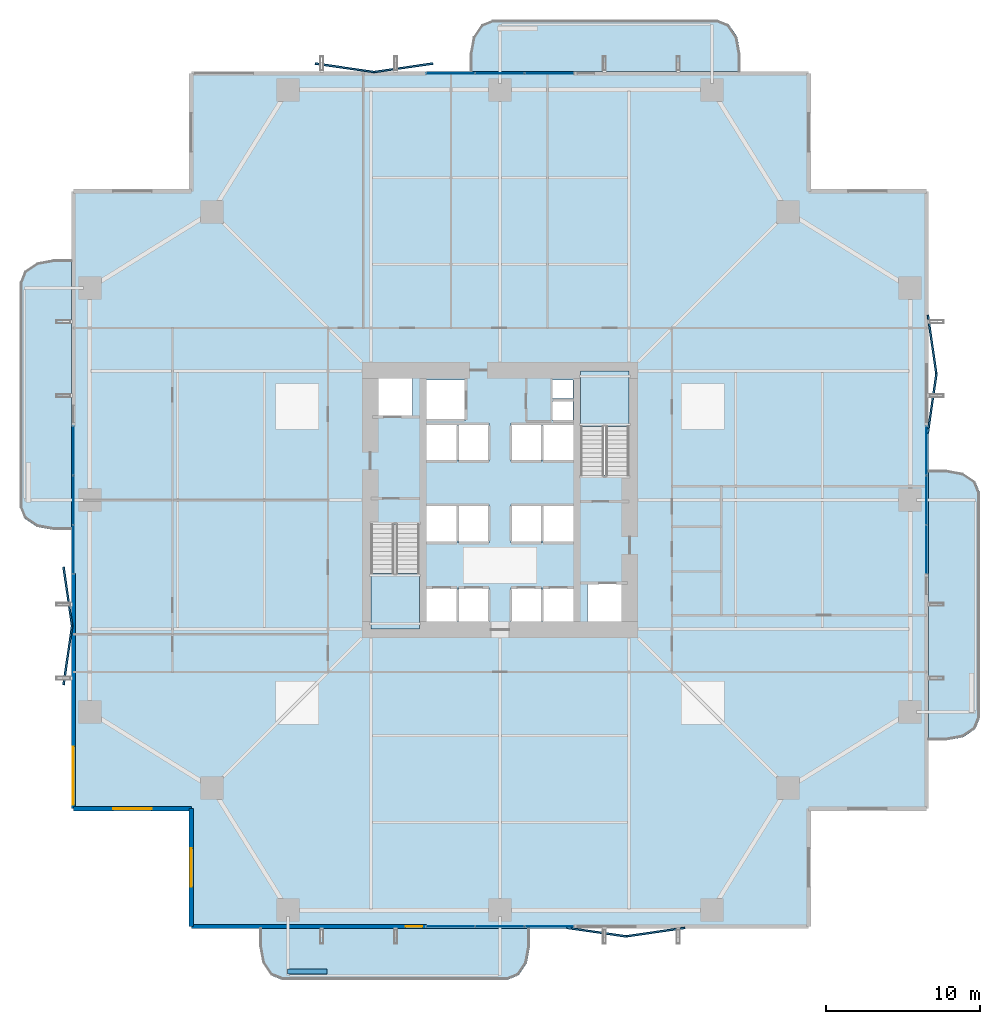
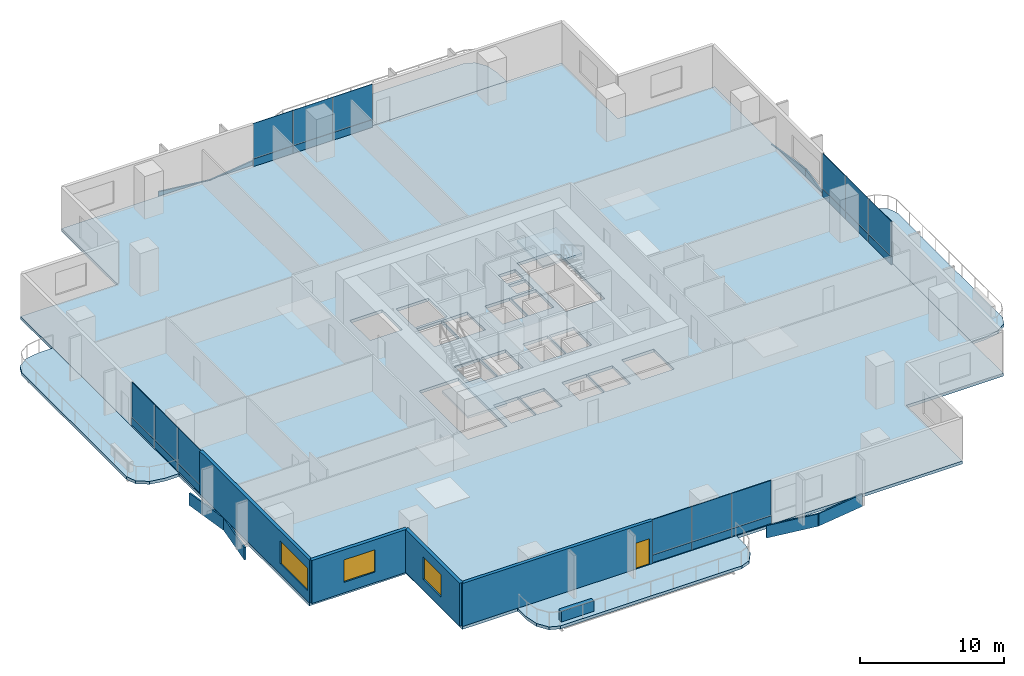
# One storey, part 16 of 23: 32 plates, 7 slabs, 5 walls, 3 windows, 1 door, 4 openings, 6 elements without a shape of their own.
"""IFC4 building model written with IfcOpenShell, lengths in metres."""

from ifc_helpers import new_model, si_unit, direction, frame, frame_2d, origin, origin_2d, place, context, subcontext, project, spatial, polyline, rectangle, outline, extrude, material, layer, layer_set, type_object, element, fill, aggregate, save


model = new_model("IFC4")

# Units and contexts
model_context = context("Model", 3, precision=1e-05, world=origin(), true_north=direction((0.0, 1.0)))
body_context = subcontext(model_context, "Body", "Model", "MODEL_VIEW")
ifc_project = project(units=[si_unit("LENGTHUNIT", "METRE"), si_unit("AREAUNIT", "SQUARE_METRE"), si_unit("VOLUMEUNIT", "CUBIC_METRE"), si_unit("PLANEANGLEUNIT", "RADIAN"), si_unit("MASSUNIT", "GRAM", prefix="KILO")], contexts=[model_context])

# Site, building, storey
site_placement = place(None, origin())
site = spatial("IfcSite", under=ifc_project, at=site_placement, CompositionType="ELEMENT")
building_placement = place(site_placement, origin())
building = spatial("IfcBuilding", under=site, at=building_placement, Name="Belovzor Exchange Tower", CompositionType="ELEMENT")
storey_placement = place(building_placement, frame((0.0, 0.0, 100.199951171875)))
storey = spatial("IfcBuildingStorey", under=building, at=storey_placement, Name="L24", CompositionType="ELEMENT", Elevation=100.199951171875)

# Slab
ifc_material_1 = material(Name="Concrete C40/50", Category="concrete")
ifc_layer_1 = layer(ifc_material_1, 0.25)
ifc_layer_set_1 = layer_set([ifc_layer_1], Name="Concrete C40/50")
slab_type_1 = type_object("IfcSlabType", Name="Composite Concrete Floor Deck Slab 250", PredefinedType="FLOOR", material=ifc_layer_set_1)
slab_1_placement = place(storey_placement, frame((0.0, 0.0, -0.25)))
element("IfcSlab", 1, at=slab_1_placement, inside=storey, type_object=slab_type_1, Name="SL-F250 Structural Slab L24", PredefinedType="FLOOR", context=body_context, shape_type="SweptSolid", body=[
    extrude(outline(polyline([(8.699951171875, 0.89990234375), (48.89990234375, 0.89990234375), (48.89990234375, 8.699951171875), (56.699951171875, 8.699951171875), (56.699951171875, 48.89990234375), (48.89990234375, 48.89990234375), (48.89990234375, 56.699951171875), (8.699951171875, 56.699951171875), (8.699951171875, 48.89990234375), (0.89990234375, 48.89990234375), (0.89990234375, 8.699951171875), (8.699951171875, 8.699951171875), (8.699951171875, 0.89990234375)]), holes=[polyline([(20.39990234375, 27.175048828125), (20.39990234375, 20.39990234375), (23.550048828125, 20.39990234375), (23.550048828125, 27.175048828125), (20.39990234375, 27.175048828125)]), polyline([(37.199951171875, 30.425048828125), (37.199951171875, 37.199951171875), (34.050048828125, 37.199951171875), (34.050048828125, 30.425048828125), (37.199951171875, 30.425048828125)]), polyline([(20.5, 34.199951171875), (23.10009765625, 34.199951171875), (23.10009765625, 37.0), (20.5, 37.0), (20.5, 34.199951171875)]), polyline([(34.5, 20.60009765625), (37.10009765625, 20.60009765625), (37.10009765625, 23.39990234375), (34.5, 23.39990234375), (34.5, 20.60009765625)]), polyline([(24.0, 34.0), (26.60009765625, 34.0), (26.60009765625, 36.60009765625), (24.0, 36.60009765625), (24.0, 34.0)]), polyline([(24.0, 20.60009765625), (26.0, 20.60009765625), (26.0, 23.10009765625), (24.0, 23.10009765625), (24.0, 20.60009765625)]), polyline([(26.10009765625, 20.60009765625), (28.10009765625, 20.60009765625), (28.10009765625, 23.10009765625), (26.10009765625, 23.10009765625), (26.10009765625, 20.60009765625)]), polyline([(29.5, 20.60009765625), (31.5, 20.60009765625), (31.5, 23.10009765625), (29.5, 23.10009765625), (29.5, 20.60009765625)]), polyline([(31.60009765625, 20.60009765625), (33.60009765625, 20.60009765625), (33.60009765625, 23.10009765625), (31.60009765625, 23.10009765625), (31.60009765625, 20.60009765625)]), polyline([(24.0, 26.0), (26.0, 26.0), (26.0, 28.5), (24.0, 28.5), (24.0, 26.0)]), polyline([(26.10009765625, 26.0), (28.10009765625, 26.0), (28.10009765625, 28.5), (26.10009765625, 28.5), (26.10009765625, 26.0)]), polyline([(29.5, 26.0), (31.5, 26.0), (31.5, 28.5), (29.5, 28.5), (29.5, 26.0)]), polyline([(31.60009765625, 26.0), (33.60009765625, 26.0), (33.60009765625, 28.5), (31.60009765625, 28.5), (31.60009765625, 26.0)]), polyline([(24.0, 31.300048828125), (26.0, 31.300048828125), (26.0, 33.800048828125), (24.0, 33.800048828125), (24.0, 31.300048828125)]), polyline([(26.10009765625, 31.300048828125), (28.10009765625, 31.300048828125), (28.10009765625, 33.800048828125), (26.10009765625, 33.800048828125), (26.10009765625, 31.300048828125)]), polyline([(29.5, 31.300048828125), (31.5, 31.300048828125), (31.5, 33.800048828125), (29.5, 33.800048828125), (29.5, 31.300048828125)]), polyline([(31.60009765625, 31.300048828125), (33.60009765625, 31.300048828125), (33.60009765625, 33.800048828125), (31.60009765625, 33.800048828125), (31.60009765625, 31.300048828125)]), polyline([(32.199951171875, 34.0), (33.550048828125, 34.0), (33.550048828125, 35.199951171875), (32.199951171875, 35.199951171875), (32.199951171875, 34.0)]), polyline([(32.199951171875, 35.39990234375), (33.550048828125, 35.39990234375), (33.550048828125, 36.60009765625), (32.199951171875, 36.60009765625), (32.199951171875, 35.39990234375)])]), origin(), (0.0, 0.0, 1.0), 0.25),
])

# Plates
ifc_material_2 = material(Name="Extruded Architectural Terracotta", Category="masonry")
ifc_layer_2 = layer(ifc_material_2, 0.1201171875)
ifc_layer_set_2 = layer_set([ifc_layer_2], Name="Extruded Architectural Terracotta")
plate_type_1 = type_object("IfcPlateType", Name="Folded Zigzag Terracotta Spandrel Louvre 80", PredefinedType="USERDEFINED", material=ifc_layer_set_2)
for number, where, z_axis, x_axis, name in (
    (2, (18.699951171875, 56.93505859375, -1.03515625), (0.0, 0.0, 1.0), (0.989686419138, -0.143250800258, 0.0), "LVR-ZZ1 Zigzag Terracotta Spandrel Louvre L24 N1A"),
    (3, (22.5, 56.93505859375, -1.03515625), (0.0, 0.0, 1.0), (0.989686419138, 0.143250800258, 0.0), "LVR-ZZ1 Zigzag Terracotta Spandrel Louvre L24 N1B"),
    (4, (0.6650390625, 18.699951171875, -1.03515625), (0.0, 0.0, 1.0), (0.143250800258, 0.989686419138, 0.0), "LVR-ZZ1 Zigzag Terracotta Spandrel Louvre L24 W1A"),
    (5, (0.6650390625, 22.5, -1.03515625), (0.0, 0.0, 1.0), (-0.143250800258, 0.989686419138, 0.0), "LVR-ZZ1 Zigzag Terracotta Spandrel Louvre L24 W1B"),
    (6, (35.10009765625, 0.6650390625, -1.03515625), (0.0, 0.0, 1.0), (0.989686419138, -0.143250800258, 0.0), "LVR-ZZ1 Zigzag Terracotta Spandrel Louvre L24 S2A"),
    (7, (38.89990234375, 0.6650390625, -1.03515625), (0.0, 0.0, 1.0), (0.989686419138, 0.143250800258, 0.0), "LVR-ZZ1 Zigzag Terracotta Spandrel Louvre L24 S2B"),
    (8, (56.93505859375, 35.10009765625, -1.03515625), (0.0, 0.0, 1.0), (0.143250800258, 0.989686419138, 0.0), "LVR-ZZ1 Zigzag Terracotta Spandrel Louvre L24 E2A"),
    (9, (56.93505859375, 38.89990234375, -1.03515625), (0.0, 0.0, 1.0), (-0.143250800258, 0.989686419138, 0.0), "LVR-ZZ1 Zigzag Terracotta Spandrel Louvre L24 E2B"),
):
    element("IfcPlate", number, at=place(storey_placement, frame(where, z_axis=z_axis, x_axis=x_axis)), inside=storey, type_object=plate_type_1, Name=name, ObjectType="SPANDREL_LOUVRE", PredefinedType="USERDEFINED", context=body_context, shape_type="SweptSolid", body=[
        extrude(rectangle(XDim=3.919921875, YDim=0.1201171875, at=origin_2d()), origin(), (0.0, 0.0, 1.0), 1.050048828125),
    ])

# Curtain wall, plates
ifc_material_3 = material(Name="Anodised Aluminium Framing", Category="aluminium")
ifc_layer_3 = layer(ifc_material_3, 0.179931640625)
ifc_layer_set_3 = layer_set([ifc_layer_3], Name="Anodised Aluminium Framing")
curtain_wall_type = type_object("IfcCurtainWallType", Name="Recessed Loggia Low-Iron Triple-Glazed Curtain Wall", PredefinedType="NOTDEFINED", material=ifc_layer_set_3)
curtain_wall_1_placement = place(storey_placement, origin())
curtain_wall_1 = element("IfcCurtainWall", 10, at=curtain_wall_1_placement, inside=storey, type_object=curtain_wall_type, Name="CW3 Recessed Loggia Low-Iron Triple-Glazed Curtain Wall L24", PredefinedType="NOTDEFINED")
ifc_material_4 = material(Name="Solar-Control Triple Glazing", Category="glass")
ifc_layer_4 = layer(ifc_material_4, 0.0439453125)
ifc_layer_set_4 = layer_set([ifc_layer_4], Name="Solar-Control Triple Glazing")
plate_type_2 = type_object("IfcPlateType", Name="Insulated Solar Glazing Curtain Panel 44", PredefinedType="CURTAIN_PANEL", material=ifc_layer_set_4)
plate_1_placement = place(storey_placement, frame((32.0, 1.030029296875, 0.652099609375), z_axis=(0.0, 0.0, 1.0), x_axis=(-1.0, 0.0, 0.0)))
plate_1 = element("IfcPlate", 11, at=plate_1_placement, type_object=plate_type_2, Name="GLZ-44 Glazed Curtain Panel 1", PredefinedType="CURTAIN_PANEL", context=body_context, shape_type="SweptSolid", body=[
    extrude(rectangle(XDim=3.18408203125, YDim=0.0439453125, at=origin_2d()), origin(), (0.0, 0.0, 1.0), 2.998046875),
])
plate_2_placement = place(storey_placement, frame((28.800048828125, 1.030029296875, 0.652099609375), z_axis=(0.0, 0.0, 1.0), x_axis=(-1.0, 0.0, 0.0)))
plate_2 = element("IfcPlate", 12, at=plate_2_placement, type_object=plate_type_2, Name="GLZ-44 Glazed Curtain Panel 2", PredefinedType="CURTAIN_PANEL", context=body_context, shape_type="SweptSolid", body=[
    extrude(rectangle(XDim=3.18408203125, YDim=0.0439453125, at=origin_2d()), origin(), (0.0, 0.0, 1.0), 2.998046875),
])
plate_3_placement = place(storey_placement, frame((25.60009765625, 1.030029296875, 0.652099609375), z_axis=(0.0, 0.0, 1.0), x_axis=(-1.0, 0.0, 0.0)))
plate_3 = element("IfcPlate", 13, at=plate_3_placement, type_object=plate_type_2, Name="GLZ-44 Glazed Curtain Panel 3", PredefinedType="CURTAIN_PANEL", context=body_context, shape_type="SweptSolid", body=[
    extrude(rectangle(XDim=3.18408203125, YDim=0.0439453125, at=origin_2d()), origin(), (0.0, 0.0, 1.0), 2.998046875),
])

curtain_wall_2_placement = place(storey_placement, origin())
curtain_wall_2 = element("IfcCurtainWall", 14, at=curtain_wall_2_placement, inside=storey, type_object=curtain_wall_type, Name="CW3 Recessed Loggia Low-Iron Triple-Glazed Curtain Wall L24", PredefinedType="NOTDEFINED")
plate_4_placement = place(storey_placement, frame((25.60009765625, 56.570068359375, 0.652099609375), z_axis=(0.0, 0.0, 1.0), x_axis=(1.0, 0.0, 0.0)))
plate_4 = element("IfcPlate", 15, at=plate_4_placement, type_object=plate_type_2, Name="GLZ-44 Glazed Curtain Panel 1", PredefinedType="CURTAIN_PANEL", context=body_context, shape_type="SweptSolid", body=[
    extrude(rectangle(XDim=3.18408203125, YDim=0.0439453125, at=origin_2d()), origin(), (0.0, 0.0, 1.0), 2.998046875),
])
plate_5_placement = place(storey_placement, frame((28.800048828125, 56.570068359375, 0.652099609375), z_axis=(0.0, 0.0, 1.0), x_axis=(1.0, 0.0, 0.0)))
plate_5 = element("IfcPlate", 16, at=plate_5_placement, type_object=plate_type_2, Name="GLZ-44 Glazed Curtain Panel 2", PredefinedType="CURTAIN_PANEL", context=body_context, shape_type="SweptSolid", body=[
    extrude(rectangle(XDim=3.18408203125, YDim=0.0439453125, at=origin_2d()), origin(), (0.0, 0.0, 1.0), 2.998046875),
])
plate_6_placement = place(storey_placement, frame((32.0, 56.570068359375, 0.652099609375), z_axis=(0.0, 0.0, 1.0), x_axis=(1.0, 0.0, 0.0)))
plate_6 = element("IfcPlate", 17, at=plate_6_placement, type_object=plate_type_2, Name="GLZ-44 Glazed Curtain Panel 3", PredefinedType="CURTAIN_PANEL", context=body_context, shape_type="SweptSolid", body=[
    extrude(rectangle(XDim=3.18408203125, YDim=0.0439453125, at=origin_2d()), origin(), (0.0, 0.0, 1.0), 2.998046875),
])

curtain_wall_3_placement = place(storey_placement, origin())
curtain_wall_3 = element("IfcCurtainWall", 18, at=curtain_wall_3_placement, inside=storey, type_object=curtain_wall_type, Name="CW3 Recessed Loggia Low-Iron Triple-Glazed Curtain Wall L24", PredefinedType="NOTDEFINED")
plate_7_placement = place(storey_placement, frame((1.030029296875, 25.60009765625, 0.652099609375), z_axis=(0.0, 0.0, 1.0), x_axis=(0.0, 1.0, 0.0)))
plate_7 = element("IfcPlate", 19, at=plate_7_placement, type_object=plate_type_2, Name="GLZ-44 Glazed Curtain Panel 1", PredefinedType="CURTAIN_PANEL", context=body_context, shape_type="SweptSolid", body=[
    extrude(rectangle(XDim=3.18408203125, YDim=0.0439453125, at=origin_2d()), origin(), (0.0, 0.0, 1.0), 2.998046875),
])
plate_8_placement = place(storey_placement, frame((1.030029296875, 28.800048828125, 0.652099609375), z_axis=(0.0, 0.0, 1.0), x_axis=(0.0, 1.0, 0.0)))
plate_8 = element("IfcPlate", 20, at=plate_8_placement, type_object=plate_type_2, Name="GLZ-44 Glazed Curtain Panel 2", PredefinedType="CURTAIN_PANEL", context=body_context, shape_type="SweptSolid", body=[
    extrude(rectangle(XDim=3.18408203125, YDim=0.0439453125, at=origin_2d()), origin(), (0.0, 0.0, 1.0), 2.998046875),
])
plate_9_placement = place(storey_placement, frame((1.030029296875, 32.0, 0.652099609375), z_axis=(0.0, 0.0, 1.0), x_axis=(0.0, 1.0, 0.0)))
plate_9 = element("IfcPlate", 21, at=plate_9_placement, type_object=plate_type_2, Name="GLZ-44 Glazed Curtain Panel 3", PredefinedType="CURTAIN_PANEL", context=body_context, shape_type="SweptSolid", body=[
    extrude(rectangle(XDim=3.18408203125, YDim=0.0439453125, at=origin_2d()), origin(), (0.0, 0.0, 1.0), 2.998046875),
])

curtain_wall_4_placement = place(storey_placement, origin())
curtain_wall_4 = element("IfcCurtainWall", 22, at=curtain_wall_4_placement, inside=storey, type_object=curtain_wall_type, Name="CW3 Recessed Loggia Low-Iron Triple-Glazed Curtain Wall L24", PredefinedType="NOTDEFINED")
plate_10_placement = place(storey_placement, frame((56.570068359375, 32.0, 0.652099609375), z_axis=(0.0, 0.0, 1.0), x_axis=(0.0, -1.0, 0.0)))
plate_10 = element("IfcPlate", 23, at=plate_10_placement, type_object=plate_type_2, Name="GLZ-44 Glazed Curtain Panel 1", PredefinedType="CURTAIN_PANEL", context=body_context, shape_type="SweptSolid", body=[
    extrude(rectangle(XDim=3.18408203125, YDim=0.0439453125, at=origin_2d()), origin(), (0.0, 0.0, 1.0), 2.998046875),
])
plate_11_placement = place(storey_placement, frame((56.570068359375, 28.800048828125, 0.652099609375), z_axis=(0.0, 0.0, 1.0), x_axis=(0.0, -1.0, 0.0)))
plate_11 = element("IfcPlate", 24, at=plate_11_placement, type_object=plate_type_2, Name="GLZ-44 Glazed Curtain Panel 2", PredefinedType="CURTAIN_PANEL", context=body_context, shape_type="SweptSolid", body=[
    extrude(rectangle(XDim=3.18408203125, YDim=0.0439453125, at=origin_2d()), origin(), (0.0, 0.0, 1.0), 2.998046875),
])
plate_12_placement = place(storey_placement, frame((56.570068359375, 25.60009765625, 0.652099609375), z_axis=(0.0, 0.0, 1.0), x_axis=(0.0, -1.0, 0.0)))
plate_12 = element("IfcPlate", 25, at=plate_12_placement, type_object=plate_type_2, Name="GLZ-44 Glazed Curtain Panel 3", PredefinedType="CURTAIN_PANEL", context=body_context, shape_type="SweptSolid", body=[
    extrude(rectangle(XDim=3.18408203125, YDim=0.0439453125, at=origin_2d()), origin(), (0.0, 0.0, 1.0), 2.998046875),
])

# Stair, slab
ifc_material_5 = material(Name="Concrete C40/50", Category="concrete")
stair_type = type_object("IfcStairType", Name="Reinforced Concrete Dogleg Escape Stair 1350", PredefinedType="HALF_TURN_STAIR", material=ifc_material_5)
stair_1_placement = place(storey_placement, origin())
stair_1 = element("IfcStair", 26, at=stair_1_placement, inside=storey, type_object=stair_type, Name="L24 ST-1", PredefinedType="HALF_TURN_STAIR")
ifc_material_6 = material(Name="Concrete C40/50", Category="concrete")
ifc_layer_5 = layer(ifc_material_6, 0.199951171875)
ifc_layer_set_5 = layer_set([ifc_layer_5], Name="Concrete C40/50")
slab_type_2 = type_object("IfcSlabType", Name="Reinforced Concrete Stair Half-Landing Slab 200", PredefinedType="LANDING", material=ifc_layer_set_5)
slab_2_placement = place(storey_placement, frame((0.0, 0.0, 1.75)))
slab_2 = element("IfcSlab", 27, at=slab_2_placement, type_object=slab_type_2, Name="ST-1 landing 1", PredefinedType="LANDING", context=body_context, shape_type="SweptSolid", body=[
    extrude(outline(polyline([(20.39990234375, 24.010009765625), (20.39990234375, 20.39990234375), (23.550048828125, 20.39990234375), (23.550048828125, 24.010009765625), (20.39990234375, 24.010009765625)])), origin(), (0.0, 0.0, 1.0), 0.199951171875),
])
aggregate(stair_1, [slab_2])

stair_2_placement = place(storey_placement, origin())
stair_2 = element("IfcStair", 28, at=stair_2_placement, inside=storey, type_object=stair_type, Name="L24 ST-2", PredefinedType="HALF_TURN_STAIR")
slab_3_placement = place(storey_placement, frame((0.0, 0.0, 1.75)))
slab_3 = element("IfcSlab", 29, at=slab_3_placement, type_object=slab_type_2, Name="ST-2 landing 1", PredefinedType="LANDING", context=body_context, shape_type="SweptSolid", body=[
    extrude(outline(polyline([(37.199951171875, 33.590087890625), (37.199951171875, 37.199951171875), (34.050048828125, 37.199951171875), (34.050048828125, 33.590087890625), (37.199951171875, 33.590087890625)])), origin(), (0.0, 0.0, 1.0), 0.199951171875),
])
aggregate(stair_2, [slab_3])

# Plate
ifc_material_7 = material(Name="Extruded Architectural Terracotta", Category="masonry")
ifc_layer_6 = layer(ifc_material_7, 0.090087890625)
ifc_layer_set_6 = layer_set([ifc_layer_6], Name="Extruded Architectural Terracotta")
plate_type_3 = type_object("IfcPlateType", Name="Terracotta Shadow-Box Spandrel Panel 90", PredefinedType="CURTAIN_PANEL", material=ifc_layer_set_6)
plate_13_placement = place(storey_placement, frame((32.0, 1.030029296875, 0.0), z_axis=(0.0, 0.0, 1.0), x_axis=(-1.0, 0.0, 0.0)))
plate_13 = element("IfcPlate", 30, at=plate_13_placement, type_object=plate_type_3, Name="SPD-90 Spandrel Panel 1", PredefinedType="CURTAIN_PANEL", context=body_context, shape_type="SweptSolid", body=[
    extrude(rectangle(XDim=3.18408203125, YDim=0.090087890625, at=origin_2d()), origin(), (0.0, 0.0, 1.0), 0.64794921875),
])

plate_14_placement = place(storey_placement, frame((28.800048828125, 1.030029296875, 0.0), z_axis=(0.0, 0.0, 1.0), x_axis=(-1.0, 0.0, 0.0)))
plate_14 = element("IfcPlate", 31, at=plate_14_placement, type_object=plate_type_3, Name="SPD-90 Spandrel Panel 2", PredefinedType="CURTAIN_PANEL", context=body_context, shape_type="SweptSolid", body=[
    extrude(rectangle(XDim=3.18408203125, YDim=0.090087890625, at=origin_2d()), origin(), (0.0, 0.0, 1.0), 0.64794921875),
])

plate_15_placement = place(storey_placement, frame((25.60009765625, 1.030029296875, 0.0), z_axis=(0.0, 0.0, 1.0), x_axis=(-1.0, 0.0, 0.0)))
plate_15 = element("IfcPlate", 32, at=plate_15_placement, type_object=plate_type_3, Name="SPD-90 Spandrel Panel 3", PredefinedType="CURTAIN_PANEL", context=body_context, shape_type="SweptSolid", body=[
    extrude(rectangle(XDim=3.18408203125, YDim=0.090087890625, at=origin_2d()), origin(), (0.0, 0.0, 1.0), 0.64794921875),
])

aggregate(curtain_wall_1, [plate_13, plate_1, plate_14, plate_2, plate_15, plate_3])

plate_16_placement = place(storey_placement, frame((25.60009765625, 56.570068359375, 0.0), z_axis=(0.0, 0.0, 1.0), x_axis=(1.0, 0.0, 0.0)))
plate_16 = element("IfcPlate", 33, at=plate_16_placement, type_object=plate_type_3, Name="SPD-90 Spandrel Panel 1", PredefinedType="CURTAIN_PANEL", context=body_context, shape_type="SweptSolid", body=[
    extrude(rectangle(XDim=3.18408203125, YDim=0.090087890625, at=origin_2d()), origin(), (0.0, 0.0, 1.0), 0.64794921875),
])

plate_17_placement = place(storey_placement, frame((28.800048828125, 56.570068359375, 0.0), z_axis=(0.0, 0.0, 1.0), x_axis=(1.0, 0.0, 0.0)))
plate_17 = element("IfcPlate", 34, at=plate_17_placement, type_object=plate_type_3, Name="SPD-90 Spandrel Panel 2", PredefinedType="CURTAIN_PANEL", context=body_context, shape_type="SweptSolid", body=[
    extrude(rectangle(XDim=3.18408203125, YDim=0.090087890625, at=origin_2d()), origin(), (0.0, 0.0, 1.0), 0.64794921875),
])

plate_18_placement = place(storey_placement, frame((32.0, 56.570068359375, 0.0), z_axis=(0.0, 0.0, 1.0), x_axis=(1.0, 0.0, 0.0)))
plate_18 = element("IfcPlate", 35, at=plate_18_placement, type_object=plate_type_3, Name="SPD-90 Spandrel Panel 3", PredefinedType="CURTAIN_PANEL", context=body_context, shape_type="SweptSolid", body=[
    extrude(rectangle(XDim=3.18408203125, YDim=0.090087890625, at=origin_2d()), origin(), (0.0, 0.0, 1.0), 0.64794921875),
])

aggregate(curtain_wall_2, [plate_16, plate_4, plate_17, plate_5, plate_18, plate_6])

plate_19_placement = place(storey_placement, frame((1.030029296875, 25.60009765625, 0.0), z_axis=(0.0, 0.0, 1.0), x_axis=(0.0, 1.0, 0.0)))
plate_19 = element("IfcPlate", 36, at=plate_19_placement, type_object=plate_type_3, Name="SPD-90 Spandrel Panel 1", PredefinedType="CURTAIN_PANEL", context=body_context, shape_type="SweptSolid", body=[
    extrude(rectangle(XDim=3.18408203125, YDim=0.090087890625, at=origin_2d()), origin(), (0.0, 0.0, 1.0), 0.64794921875),
])

plate_20_placement = place(storey_placement, frame((1.030029296875, 28.800048828125, 0.0), z_axis=(0.0, 0.0, 1.0), x_axis=(0.0, 1.0, 0.0)))
plate_20 = element("IfcPlate", 37, at=plate_20_placement, type_object=plate_type_3, Name="SPD-90 Spandrel Panel 2", PredefinedType="CURTAIN_PANEL", context=body_context, shape_type="SweptSolid", body=[
    extrude(rectangle(XDim=3.18408203125, YDim=0.090087890625, at=origin_2d()), origin(), (0.0, 0.0, 1.0), 0.64794921875),
])

plate_21_placement = place(storey_placement, frame((1.030029296875, 32.0, 0.0), z_axis=(0.0, 0.0, 1.0), x_axis=(0.0, 1.0, 0.0)))
plate_21 = element("IfcPlate", 38, at=plate_21_placement, type_object=plate_type_3, Name="SPD-90 Spandrel Panel 3", PredefinedType="CURTAIN_PANEL", context=body_context, shape_type="SweptSolid", body=[
    extrude(rectangle(XDim=3.18408203125, YDim=0.090087890625, at=origin_2d()), origin(), (0.0, 0.0, 1.0), 0.64794921875),
])

aggregate(curtain_wall_3, [plate_19, plate_7, plate_20, plate_8, plate_21, plate_9])

plate_22_placement = place(storey_placement, frame((56.570068359375, 32.0, 0.0), z_axis=(0.0, 0.0, 1.0), x_axis=(0.0, -1.0, 0.0)))
plate_22 = element("IfcPlate", 39, at=plate_22_placement, type_object=plate_type_3, Name="SPD-90 Spandrel Panel 1", PredefinedType="CURTAIN_PANEL", context=body_context, shape_type="SweptSolid", body=[
    extrude(rectangle(XDim=3.18408203125, YDim=0.090087890625, at=origin_2d()), origin(), (0.0, 0.0, 1.0), 0.64794921875),
])

plate_23_placement = place(storey_placement, frame((56.570068359375, 28.800048828125, 0.0), z_axis=(0.0, 0.0, 1.0), x_axis=(0.0, -1.0, 0.0)))
plate_23 = element("IfcPlate", 40, at=plate_23_placement, type_object=plate_type_3, Name="SPD-90 Spandrel Panel 2", PredefinedType="CURTAIN_PANEL", context=body_context, shape_type="SweptSolid", body=[
    extrude(rectangle(XDim=3.18408203125, YDim=0.090087890625, at=origin_2d()), origin(), (0.0, 0.0, 1.0), 0.64794921875),
])

plate_24_placement = place(storey_placement, frame((56.570068359375, 25.60009765625, 0.0), z_axis=(0.0, 0.0, 1.0), x_axis=(0.0, -1.0, 0.0)))
plate_24 = element("IfcPlate", 41, at=plate_24_placement, type_object=plate_type_3, Name="SPD-90 Spandrel Panel 3", PredefinedType="CURTAIN_PANEL", context=body_context, shape_type="SweptSolid", body=[
    extrude(rectangle(XDim=3.18408203125, YDim=0.090087890625, at=origin_2d()), origin(), (0.0, 0.0, 1.0), 0.64794921875),
])

aggregate(curtain_wall_4, [plate_22, plate_10, plate_23, plate_11, plate_24, plate_12])

# Slabs
ifc_material_8 = material(Name="Concrete C40/50", Category="concrete")
ifc_layer_7 = layer(ifc_material_8, 0.25)
ifc_layer_set_7 = layer_set([ifc_layer_7], Name="Concrete C40/50")
slab_type_3 = type_object("IfcSlabType", Name="Thermally Broken Planted Balcony Slab 250", PredefinedType="FLOOR", material=ifc_layer_set_7)
slab_4_placement = place(storey_placement, frame((0.0, 0.0, -0.25)))
element("IfcSlab", 42, at=slab_4_placement, inside=storey, type_object=slab_type_3, Name="SL-BAL220 Planted Balcony Loggia L24 South", PredefinedType="FLOOR", context=body_context, shape_type="SweptSolid", body=[
    extrude(outline(polyline([(13.14990234375, 0.9150390625), (13.14990234375, -0.25), (13.35107421875, -1.35009765625), (13.89990234375, -2.155029296875), (14.64990234375, -2.449951171875), (29.25, -2.449951171875), (30.0, -2.155029296875), (30.549072265625, -1.35009765625), (30.75, -0.25), (30.75, 0.9150390625), (13.14990234375, 0.9150390625)])), origin(), (0.0, 0.0, 1.0), 0.25),
])
slab_5_placement = place(storey_placement, frame((0.0, 0.0, -0.25)))
element("IfcSlab", 43, at=slab_5_placement, inside=storey, type_object=slab_type_3, Name="SL-BAL220 Planted Balcony Loggia L24 North", PredefinedType="FLOOR", context=body_context, shape_type="SweptSolid", body=[
    extrude(outline(polyline([(44.449951171875, 56.68505859375), (44.449951171875, 57.85009765625), (44.2490234375, 58.949951171875), (43.699951171875, 59.7548828125), (42.949951171875, 60.050048828125), (28.35009765625, 60.050048828125), (27.60009765625, 59.7548828125), (27.051025390625, 58.949951171875), (26.85009765625, 57.85009765625), (26.85009765625, 56.68505859375), (44.449951171875, 56.68505859375)])), origin(), (0.0, 0.0, 1.0), 0.25),
])
slab_6_placement = place(storey_placement, frame((0.0, 0.0, -0.25)))
element("IfcSlab", 44, at=slab_6_placement, inside=storey, type_object=slab_type_3, Name="SL-BAL220 Planted Balcony Loggia L24 East", PredefinedType="FLOOR", context=body_context, shape_type="SweptSolid", body=[
    extrude(outline(polyline([(56.68505859375, 13.14990234375), (57.85009765625, 13.14990234375), (58.949951171875, 13.35107421875), (59.7548828125, 13.89990234375), (60.050048828125, 14.64990234375), (60.050048828125, 29.25), (59.7548828125, 30.0), (58.949951171875, 30.549072265625), (57.85009765625, 30.75), (56.68505859375, 30.75), (56.68505859375, 13.14990234375)])), origin(), (0.0, 0.0, 1.0), 0.25),
])
slab_7_placement = place(storey_placement, frame((0.0, 0.0, -0.25)))
element("IfcSlab", 45, at=slab_7_placement, inside=storey, type_object=slab_type_3, Name="SL-BAL220 Planted Balcony Loggia L24 West", PredefinedType="FLOOR", context=body_context, shape_type="SweptSolid", body=[
    extrude(outline(polyline([(0.9150390625, 44.449951171875), (-0.25, 44.449951171875), (-1.35009765625, 44.2490234375), (-2.155029296875, 43.699951171875), (-2.449951171875, 42.949951171875), (-2.449951171875, 28.35009765625), (-2.155029296875, 27.60009765625), (-1.35009765625, 27.051025390625), (-0.25, 26.85009765625), (0.9150390625, 26.85009765625), (0.9150390625, 44.449951171875)])), origin(), (0.0, 0.0, 1.0), 0.25),
])

# Wall, opening, window
ifc_material_9 = material(Name="Precast concrete C40/50", Category="concrete")
ifc_layer_8 = layer(ifc_material_9, 0.280029296875)
ifc_layer_set_8 = layer_set([ifc_layer_8], Name="Precast concrete C40/50")
wall_type_1 = type_object("IfcWallType", Name="Precast Concrete Notched Corner Frame Wall 280", PredefinedType="SOLIDWALL", material=ifc_layer_set_8)
wall_1_placement = place(storey_placement, frame((8.699951171875, 1.030029296875, 0.0), z_axis=(0.0, 0.0, 1.0), x_axis=(0.0, 1.0, 0.0)))
wall_1 = element("IfcWall", 46, at=wall_1_placement, inside=storey, type_object=wall_type_1, Name="W-CRN280 Precast Concrete Notched Corner Frame Wall 280 L24", PredefinedType="SOLIDWALL", context=body_context, shape_type="SweptSolid", body=[
    extrude(rectangle(XDim=7.669921875, YDim=0.280029296875, at=frame_2d((3.8349609375, 0.0))), origin(), (0.0, 0.0, 1.0), 3.650146484375),
])
opening_1_placement = place(wall_1_placement, frame((2.5849609375, 0.0, 0.89990234375)))
opening_1 = element("IfcOpeningElement", 47, at=opening_1_placement, cuts=wall_1, Name="Opening WN-CRN250", PredefinedType="OPENING", context=body_context, shape_type="SweptSolid", body=[
    extrude(rectangle(XDim=2.5, YDim=1.89990234375, at=frame_2d((1.25, 0.949951171875))), frame((0.0, 0.14990234375, 0.0), z_axis=(0.0, -1.0, 0.0), x_axis=(1.0, 0.0, 0.0)), (0.0, 0.0, 1.0), 0.300048828125),
])
ifc_material_10 = material(Name="Thermally Broken Aluminium and Triple Glazing", Category="aluminium")
window_type_1 = type_object("IfcWindowType", Name="Streamline Moderne Corner Wrap Ribbon Window 2500x1900", PartitioningType="SINGLE_PANEL", PredefinedType="WINDOW", material=ifc_material_10)
window_1_placement = place(opening_1_placement, origin())
window_1 = element("IfcWindow", 48, at=window_1_placement, inside=storey, type_object=window_type_1, Name="WN-CRN250 Streamline Moderne Corner Wrap Ribbon Window 2500x1900", OverallHeight=1.89990234375, OverallWidth=2.5, PartitioningType="SINGLE_PANEL", PredefinedType="WINDOW", context=body_context, shape_type="SweptSolid", body=[
    extrude(rectangle(XDim=2.5, YDim=1.89990234375, at=frame_2d((1.25, 0.949951171875))), frame((0.0, 0.030029296875, 0.0), z_axis=(0.0, -1.0, 0.0), x_axis=(1.0, 0.0, 0.0)), (0.0, 0.0, 1.0), 0.06005859375),
])
fill(opening_1, window_1)

wall_2_placement = place(storey_placement, frame((8.699951171875, 8.699951171875, 0.0), z_axis=(0.0, 0.0, 1.0), x_axis=(-1.0, 0.0, 0.0)))
wall_2 = element("IfcWall", 49, at=wall_2_placement, inside=storey, type_object=wall_type_1, Name="W-CRN280 Precast Concrete Notched Corner Frame Wall 280 L24", PredefinedType="SOLIDWALL", context=body_context, shape_type="SweptSolid", body=[
    extrude(rectangle(XDim=7.669921875, YDim=0.280029296875, at=frame_2d((3.8349609375, 0.0))), origin(), (0.0, 0.0, 1.0), 3.650146484375),
])
opening_2_placement = place(wall_2_placement, frame((2.5849609375, 0.0, 0.89990234375)))
opening_2 = element("IfcOpeningElement", 50, at=opening_2_placement, cuts=wall_2, Name="Opening WN-CRN250", PredefinedType="OPENING", context=body_context, shape_type="SweptSolid", body=[
    extrude(rectangle(XDim=2.5, YDim=1.89990234375, at=frame_2d((1.25, 0.949951171875))), frame((0.0, 0.14990234375, 0.0), z_axis=(0.0, -1.0, 0.0), x_axis=(1.0, 0.0, 0.0)), (0.0, 0.0, 1.0), 0.300048828125),
])
window_2_placement = place(opening_2_placement, origin())
window_2 = element("IfcWindow", 51, at=window_2_placement, inside=storey, type_object=window_type_1, Name="WN-CRN250 Streamline Moderne Corner Wrap Ribbon Window 2500x1900", OverallHeight=1.89990234375, OverallWidth=2.5, PartitioningType="SINGLE_PANEL", PredefinedType="WINDOW", context=body_context, shape_type="SweptSolid", body=[
    extrude(rectangle(XDim=2.5, YDim=1.89990234375, at=frame_2d((1.25, 0.949951171875))), frame((0.0, 0.030029296875, 0.0), z_axis=(0.0, -1.0, 0.0), x_axis=(1.0, 0.0, 0.0)), (0.0, 0.0, 1.0), 0.06005859375),
])
fill(opening_2, window_2)

# Wall, opening, door
ifc_material_11 = material(Name="Precast concrete C40/50", Category="concrete")
ifc_layer_9 = layer(ifc_material_11, 0.260009765625)
ifc_layer_set_9 = layer_set([ifc_layer_9], Name="Precast concrete C40/50")
wall_type_2 = type_object("IfcWallType", Name="Precast Concrete Perimeter Loggia Frame Wall 260", PredefinedType="SOLIDWALL", material=ifc_layer_set_9)
wall_3_placement = place(storey_placement, frame((24.0, 1.030029296875, 0.0), z_axis=(0.0, 0.0, 1.0), x_axis=(-1.0, 0.0, 0.0)))
wall_3 = element("IfcWall", 52, at=wall_3_placement, inside=storey, type_object=wall_type_2, Name="W-EXT260 Precast Concrete Perimeter Loggia Frame Wall 260 L24", PredefinedType="SOLIDWALL", context=body_context, shape_type="SweptSolid", body=[
    extrude(rectangle(XDim=15.300048828125, YDim=0.260009765625, at=frame_2d((7.64990234375, 0.0))), origin(), (0.0, 0.0, 1.0), 3.650146484375),
])
opening_3_placement = place(wall_3_placement, frame((0.25, 0.0, 0.0)))
opening_3 = element("IfcOpeningElement", 53, at=opening_3_placement, cuts=wall_3, Name="Opening D-BAL110", PredefinedType="OPENING", context=body_context, shape_type="SweptSolid", body=[
    extrude(rectangle(XDim=1.10009765625, YDim=2.199951171875, at=frame_2d((0.550048828125, 1.10009765625))), frame((0.0, 0.139892578125, 0.0), z_axis=(0.0, -1.0, 0.0), x_axis=(1.0, 0.0, 0.0)), (0.0, 0.0, 1.0), 0.280029296875),
])
ifc_material_12 = material(Name="Thermally Broken Anodised Aluminium and Laminated Glass", Category="aluminium")
door_type = type_object("IfcDoorType", Name="Planted Loggia Terrace Glazed Door 1100x2200", OperationType="SINGLE_SWING_LEFT", PredefinedType="DOOR", material=ifc_material_12)
door_placement = place(opening_3_placement, origin())
door = element("IfcDoor", 54, at=door_placement, inside=storey, type_object=door_type, Name="D-BAL110 Balcony Terrace Door L24 S", OperationType="SINGLE_SWING_LEFT", OverallHeight=2.199951171875, OverallWidth=1.10009765625, PredefinedType="DOOR", context=body_context, shape_type="SweptSolid", body=[
    extrude(rectangle(XDim=1.10009765625, YDim=2.199951171875, at=frame_2d((0.550048828125, 1.10009765625))), frame((0.0, 0.02490234375, 0.0), z_axis=(0.0, -1.0, 0.0), x_axis=(1.0, 0.0, 0.0)), (0.0, 0.0, 1.0), 0.050048828125),
])
fill(opening_3, door)

# Wall, opening, window
wall_4_placement = place(storey_placement, frame((1.030029296875, 8.699951171875, 0.0), z_axis=(0.0, 0.0, 1.0), x_axis=(0.0, 1.0, 0.0)))
wall_4 = element("IfcWall", 55, at=wall_4_placement, inside=storey, type_object=wall_type_2, Name="W-EXT260 Precast Concrete Perimeter Loggia Frame Wall 260 L24", PredefinedType="SOLIDWALL", context=body_context, shape_type="SweptSolid", body=[
    extrude(rectangle(XDim=15.300048828125, YDim=0.260009765625, at=frame_2d((7.64990234375, 0.0))), origin(), (0.0, 0.0, 1.0), 3.650146484375),
])
opening_4_placement = place(wall_4_placement, frame((0.25, 0.0, 0.89990234375)))
opening_4 = element("IfcOpeningElement", 56, at=opening_4_placement, cuts=wall_4, Name="Opening WN-RIB380", PredefinedType="OPENING", context=body_context, shape_type="SweptSolid", body=[
    extrude(rectangle(XDim=3.800048828125, YDim=1.89990234375, at=frame_2d((1.89990234375, 0.949951171875))), frame((0.0, 0.139892578125, 0.0), z_axis=(0.0, -1.0, 0.0), x_axis=(1.0, 0.0, 0.0)), (0.0, 0.0, 1.0), 0.280029296875),
])
ifc_material_13 = material(Name="Thermally Broken Aluminium and Triple Glazing", Category="aluminium")
window_type_2 = type_object("IfcWindowType", Name="Streamline Moderne Horizontal Ribbon Window 3800x1900", PartitioningType="SINGLE_PANEL", PredefinedType="WINDOW", material=ifc_material_13)
window_3_placement = place(opening_4_placement, origin())
window_3 = element("IfcWindow", 57, at=window_3_placement, inside=storey, type_object=window_type_2, Name="WN-RIB380 Streamline Moderne Horizontal Ribbon Window 3800x1900", OverallHeight=1.89990234375, OverallWidth=3.800048828125, PartitioningType="SINGLE_PANEL", PredefinedType="WINDOW", context=body_context, shape_type="SweptSolid", body=[
    extrude(rectangle(XDim=3.800048828125, YDim=1.89990234375, at=frame_2d((1.89990234375, 0.949951171875))), frame((0.0, 0.030029296875, 0.0), z_axis=(0.0, -1.0, 0.0), x_axis=(1.0, 0.0, 0.0)), (0.0, 0.0, 1.0), 0.06005859375),
])
fill(opening_4, window_3)

# Wall
ifc_material_14 = material(Name="Precast concrete C40/50", Category="concrete")
ifc_layer_10 = layer(ifc_material_14, 0.35009765625)
ifc_layer_set_10 = layer_set([ifc_layer_10], Name="Precast concrete C40/50")
wall_type_3 = type_object("IfcWallType", Name="Precast Concrete Structural Tree Planter Trough 350", PredefinedType="PARAPET", material=ifc_layer_set_10)
wall_5_placement = place(storey_placement, frame((14.949951171875, -1.89990234375, 0.0), z_axis=(0.0, 0.0, 1.0), x_axis=(1.0, 0.0, 0.0)))
element("IfcWall", 58, at=wall_5_placement, inside=storey, type_object=wall_type_3, Name="PT-350 Precast Concrete Structural Tree Planter Trough 350 L24", PredefinedType="PARAPET", context=body_context, shape_type="SweptSolid", body=[
    extrude(rectangle(XDim=2.60009765625, YDim=0.35009765625, at=frame_2d((1.300048828125, 0.0))), origin(), (0.0, 0.0, 1.0), 0.900146484375),
])

save(model, "model.ifc")
